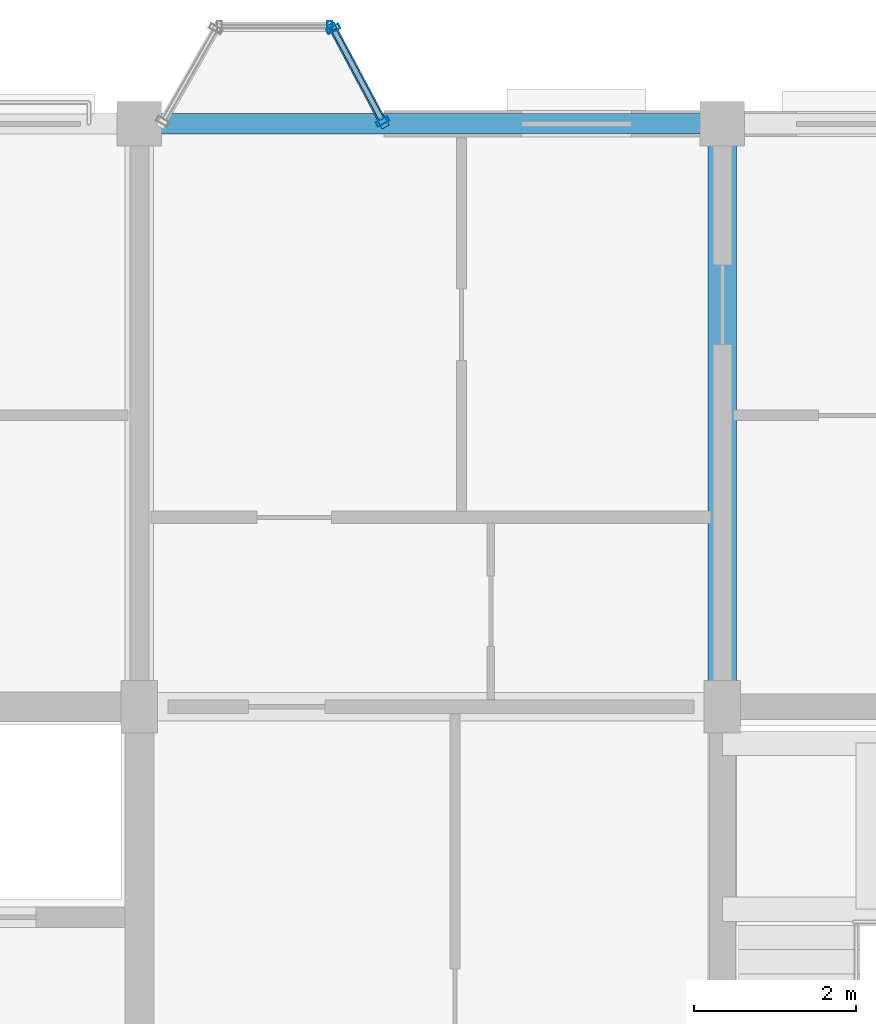
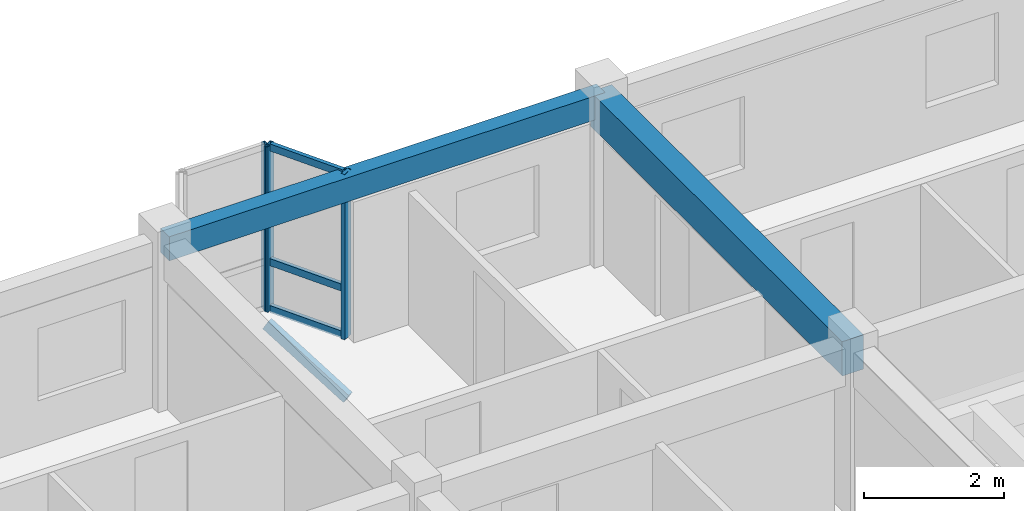
# One storey, part 44 of 79: 7 members, 2 beams, 2 elements without a shape of their own.
"""IFC4 building model written with IfcOpenShell, lengths in metres."""

from ifc_helpers import new_model, si_unit, direction, frame, origin, origin_2d, place, context, subcontext, project, spatial, rectangle, hollow_rectangle, extrude, material, layer, layer_set, material_profile, profile_set, type_object, element, aggregate, save


model = new_model("IFC4")

# Units and contexts
model_context = context("Model", 3, precision=1e-05, world=origin(), true_north=direction((0.0, 1.0)))
body_context = subcontext(model_context, "Body", "Model", "MODEL_VIEW")
ifc_project = project(units=[si_unit("LENGTHUNIT", "METRE"), si_unit("AREAUNIT", "SQUARE_METRE"), si_unit("VOLUMEUNIT", "CUBIC_METRE"), si_unit("PLANEANGLEUNIT", "RADIAN"), si_unit("MASSUNIT", "GRAM", prefix="KILO"), si_unit("THERMODYNAMICTEMPERATUREUNIT", "KELVIN"), si_unit("POWERUNIT", "WATT")], contexts=[model_context])

# Site, building, storey
site_placement = place(None, origin())
site = spatial("IfcSite", under=ifc_project, at=site_placement, CompositionType="ELEMENT")
building_placement = place(site_placement, origin())
building = spatial("IfcBuilding", under=site, at=building_placement, Name="Tavuni Mirador Residences", CompositionType="ELEMENT")
storey_placement = place(building_placement, frame((0.0, 0.0, 13.949951171875)))
storey = spatial("IfcBuildingStorey", under=building, at=storey_placement, Name="L04", CompositionType="ELEMENT", Elevation=13.949951171875)

# Beams
ifc_material_1 = material(Name="Precast concrete C40/50", Category="concrete")
ifc_material_profile_1 = material_profile(ifc_material_1, rectangle(XDim=0.35009765625, YDim=0.60009765625, at=origin_2d()), Name="PC 350x600", Category="concrete")
ifc_profile_set_1 = profile_set([ifc_material_profile_1], Name="Precast concrete C40/50")
beam_type_1 = type_object("IfcBeamType", Name="BT-B600", PredefinedType="BEAM", material=ifc_profile_set_1)
beam_1_placement = place(storey_placement, frame((39.60009765625, 165.60009765625, 2.5849609375), z_axis=(0.0, 1.0, 0.0), x_axis=(-1.0, 0.0, 0.0)))
element("IfcBeam", 1, at=beam_1_placement, inside=storey, type_object=beam_type_1, Name="BMY-BLK-C-L04-04-03", PredefinedType="BEAM", context=body_context, shape_type="SweptSolid", body=[
    extrude(rectangle(XDim=0.35009765625, YDim=0.60009765625, at=origin_2d()), origin(), (0.0, 0.0, 1.0), 7.199951171875),
])
ifc_material_profile_2 = material_profile(ifc_material_1, rectangle(XDim=0.25, YDim=0.419921875, at=origin_2d()), Name="PC 250x420", Category="concrete")
ifc_profile_set_2 = profile_set([ifc_material_profile_2], Name="Precast concrete C40/50")
beam_type_2 = type_object("IfcBeamType", Name="BT-SP420", PredefinedType="SPANDREL", material=ifc_profile_set_2)
beam_2_placement = place(storey_placement, frame((32.39990234375, 172.800048828125, 2.675048828125), z_axis=(1.0, 0.0, 0.0), x_axis=(0.0, 1.0, 0.0)))
element("IfcBeam", 2, at=beam_2_placement, inside=storey, type_object=beam_type_2, Name="BMX-BLK-C-L04-03-04", PredefinedType="SPANDREL", context=body_context, shape_type="SweptSolid", body=[
    extrude(rectangle(XDim=0.25, YDim=0.419921875, at=origin_2d()), origin(), (0.0, 0.0, 1.0), 7.2001953125),
])

# Curtain wall, member
ifc_material_2 = material(Name="Anodised aluminium", Category="aluminium")
ifc_layer_1 = layer(ifc_material_2, 0.1650390625, Name="Anodised aluminium", Category="aluminium")
ifc_layer_set_1 = layer_set([ifc_layer_1], Name="Anodised aluminium")
curtain_wall_type_1 = type_object("IfcCurtainWallType", Name="CWT-MIR-A", PredefinedType="NOTDEFINED", material=ifc_layer_set_1)
curtain_wall_1_placement = place(storey_placement, origin())
curtain_wall_1 = element("IfcCurtainWall", 3, at=curtain_wall_1_placement, inside=storey, type_object=curtain_wall_type_1, Name="CW-MIR-C-N2-L04-MF", PredefinedType="NOTDEFINED")
ifc_material_profile_3 = material_profile(ifc_material_2, hollow_rectangle(XDim=0.06005859375, YDim=0.139892578125, WallThickness=0.00390625, at=origin_2d()), Name="ALU 60x140x4.0", Category="aluminium")
ifc_profile_set_3 = profile_set([ifc_material_profile_3], Name="Anodised aluminium")
member_type_1 = type_object("IfcMemberType", Name="CWM-140", PredefinedType="MULLION", material=ifc_profile_set_3)
member_1_placement = place(storey_placement, frame((34.75, 174.0, 0.0), z_axis=(0.0, 0.0, 1.0), x_axis=(-1.0, 0.0, 0.0)))
member_1 = element("IfcMember", 4, at=member_1_placement, type_object=member_type_1, Name="CW-01 mullion 1", PredefinedType="MULLION", context=body_context, shape_type="SweptSolid", body=[
    extrude(hollow_rectangle(XDim=0.06005859375, YDim=0.139892578125, WallThickness=0.00390625, at=origin_2d()), origin(), (0.0, 0.0, 1.0), 2.885009765625),
])
aggregate(curtain_wall_1, [member_1])

# Curtain wall, members
ifc_layer_2 = layer(ifc_material_2, 0.159912109375, Name="Anodised aluminium", Category="aluminium")
ifc_layer_set_2 = layer_set([ifc_layer_2], Name="Anodised aluminium")
curtain_wall_type_2 = type_object("IfcCurtainWallType", Name="CWT-MIR-D", PredefinedType="NOTDEFINED", material=ifc_layer_set_2)
curtain_wall_2_placement = place(storey_placement, origin())
curtain_wall_2 = element("IfcCurtainWall", 5, at=curtain_wall_2_placement, inside=storey, type_object=curtain_wall_type_2, Name="CW-MIR-C-N2-L04-M1", PredefinedType="NOTDEFINED")
ifc_material_profile_4 = material_profile(ifc_material_2, hollow_rectangle(XDim=0.06494140625, YDim=0.1650390625, WallThickness=0.00439453125, at=origin_2d()), Name="ALU 65x165x4.5", Category="aluminium")
ifc_profile_set_4 = profile_set([ifc_material_profile_4], Name="Anodised aluminium")
member_type_2 = type_object("IfcMemberType", Name="CWM-165", PredefinedType="MULLION", material=ifc_profile_set_4)
member_2_placement = place(storey_placement, frame((35.40478515625, 172.82861328125, 0.0), z_axis=(0.0, 0.0, 1.0), x_axis=(-0.470588235296, 0.882352941175, 0.0)))
member_2 = element("IfcMember", 6, at=member_2_placement, type_object=member_type_2, Name="CW-04 mullion 1", PredefinedType="MULLION", context=body_context, shape_type="SweptSolid", body=[
    extrude(hollow_rectangle(XDim=0.06494140625, YDim=0.1650390625, WallThickness=0.00439453125, at=origin_2d()), origin(), (0.0, 0.0, 1.0), 2.885009765625),
])
member_3_placement = place(storey_placement, frame((34.79541015625, 173.971435546875, 0.0), z_axis=(0.0, 0.0, 1.0), x_axis=(-0.470588235296, 0.882352941175, 0.0)))
member_3 = element("IfcMember", 7, at=member_3_placement, type_object=member_type_2, Name="CW-04 mullion 2", PredefinedType="MULLION", context=body_context, shape_type="SweptSolid", body=[
    extrude(hollow_rectangle(XDim=0.06494140625, YDim=0.1650390625, WallThickness=0.00439453125, at=origin_2d()), origin(), (0.0, 0.0, 1.0), 2.885009765625),
])
ifc_material_profile_5 = material_profile(ifc_material_2, hollow_rectangle(XDim=0.06494140625, YDim=0.125, WallThickness=0.00439453125, at=origin_2d()), Name="ALU 65x125x4.5", Category="aluminium")
ifc_profile_set_5 = profile_set([ifc_material_profile_5], Name="Anodised aluminium")
member_type_3 = type_object("IfcMemberType", Name="CWT-125", PredefinedType="USERDEFINED", material=ifc_profile_set_5)
member_4_placement = place(storey_placement, frame((35.389404296875, 172.857421875, 0.032470703125), z_axis=(-0.470639747922, 0.882325465843, 0.0), x_axis=(-0.882325465843, -0.470639747922, 0.0)))
member_4 = element("IfcMember", 8, at=member_4_placement, type_object=member_type_3, Name="CW-04 transom 1.1", ObjectType="TRANSOM", PredefinedType="USERDEFINED", context=body_context, shape_type="SweptSolid", body=[
    extrude(hollow_rectangle(XDim=0.06494140625, YDim=0.125, WallThickness=0.00439453125, at=origin_2d()), origin(), (0.0, 0.0, 1.0), 1.22998046875),
])
member_5_placement = place(storey_placement, frame((35.389404296875, 172.857421875, 0.85009765625), z_axis=(-0.470639747922, 0.882325465843, 0.0), x_axis=(-0.882325465843, -0.470639747922, 0.0)))
member_5 = element("IfcMember", 9, at=member_5_placement, type_object=member_type_3, Name="CW-04 transom 1.2", ObjectType="TRANSOM", PredefinedType="USERDEFINED", context=body_context, shape_type="SweptSolid", body=[
    extrude(hollow_rectangle(XDim=0.06494140625, YDim=0.125, WallThickness=0.00439453125, at=origin_2d()), origin(), (0.0, 0.0, 1.0), 1.22998046875),
])
member_6_placement = place(storey_placement, frame((35.389404296875, 172.857421875, 2.8525390625), z_axis=(-0.470639747922, 0.882325465843, 0.0), x_axis=(-0.882325465843, -0.470639747922, 0.0)))
member_6 = element("IfcMember", 10, at=member_6_placement, type_object=member_type_3, Name="CW-04 transom 1.3", ObjectType="TRANSOM", PredefinedType="USERDEFINED", context=body_context, shape_type="SweptSolid", body=[
    extrude(hollow_rectangle(XDim=0.06494140625, YDim=0.125, WallThickness=0.00439453125, at=origin_2d()), origin(), (0.0, 0.0, 1.0), 1.22998046875),
])
aggregate(curtain_wall_2, [member_2, member_3, member_4, member_5, member_6])

# Member
ifc_material_3 = material(Name="Structural steel S355", Category="steel")
ifc_material_profile_6 = material_profile(ifc_material_3, hollow_rectangle(XDim=0.10009765625, YDim=0.179931640625, WallThickness=0.008056640625, at=origin_2d()), Name="RHS 180x100x8.0", Category="steel")
ifc_profile_set_6 = profile_set([ifc_material_profile_6], Name="Structural steel S355")
member_type_4 = type_object("IfcMemberType", Name="MT-BR-RHS180", PredefinedType="BRACE", material=ifc_profile_set_6)
member_7_placement = place(storey_placement, frame((35.419921875, 172.800048828125, -1.050048828125), z_axis=(-0.407499208462, 0.764158187558, 0.500006659448), x_axis=(-0.882377788047, -0.47054164445, 0.0)))
element("IfcMember", 11, at=member_7_placement, inside=storey, type_object=member_type_4, Name="MBRK-MIR-C-N2-L04-2", PredefinedType="BRACE", context=body_context, shape_type="SweptSolid", body=[
    extrude(hollow_rectangle(XDim=0.10009765625, YDim=0.179931640625, WallThickness=0.008056640625, at=origin_2d()), origin(), (0.0, 0.0, 1.0), 1.5703125),
])

save(model, "model.ifc")
